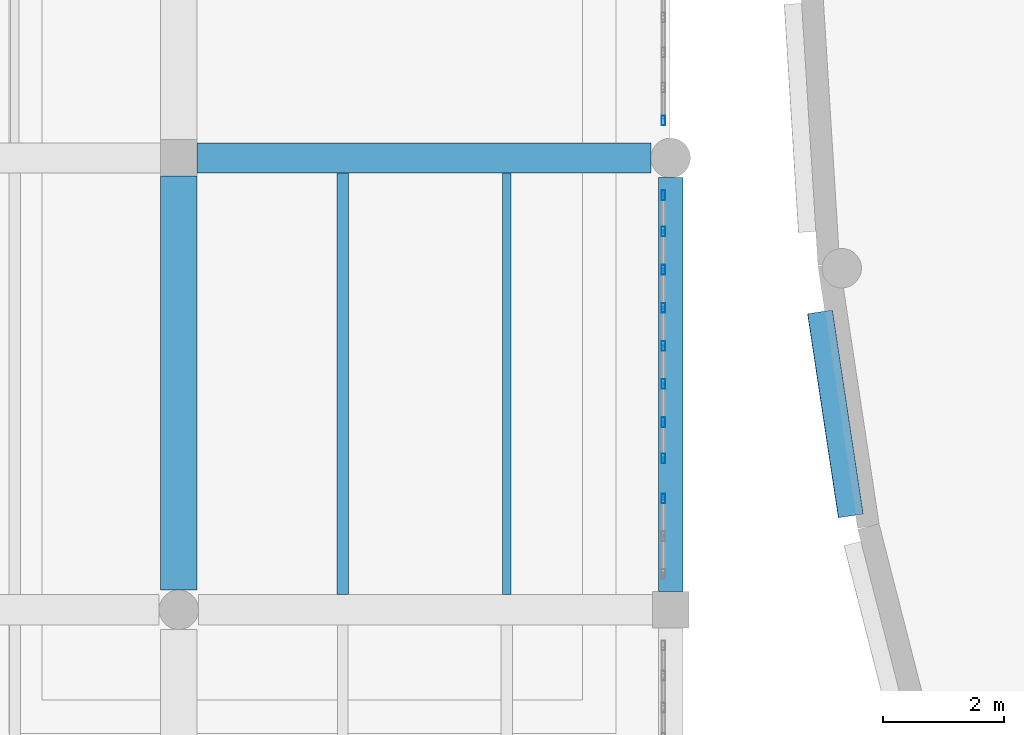
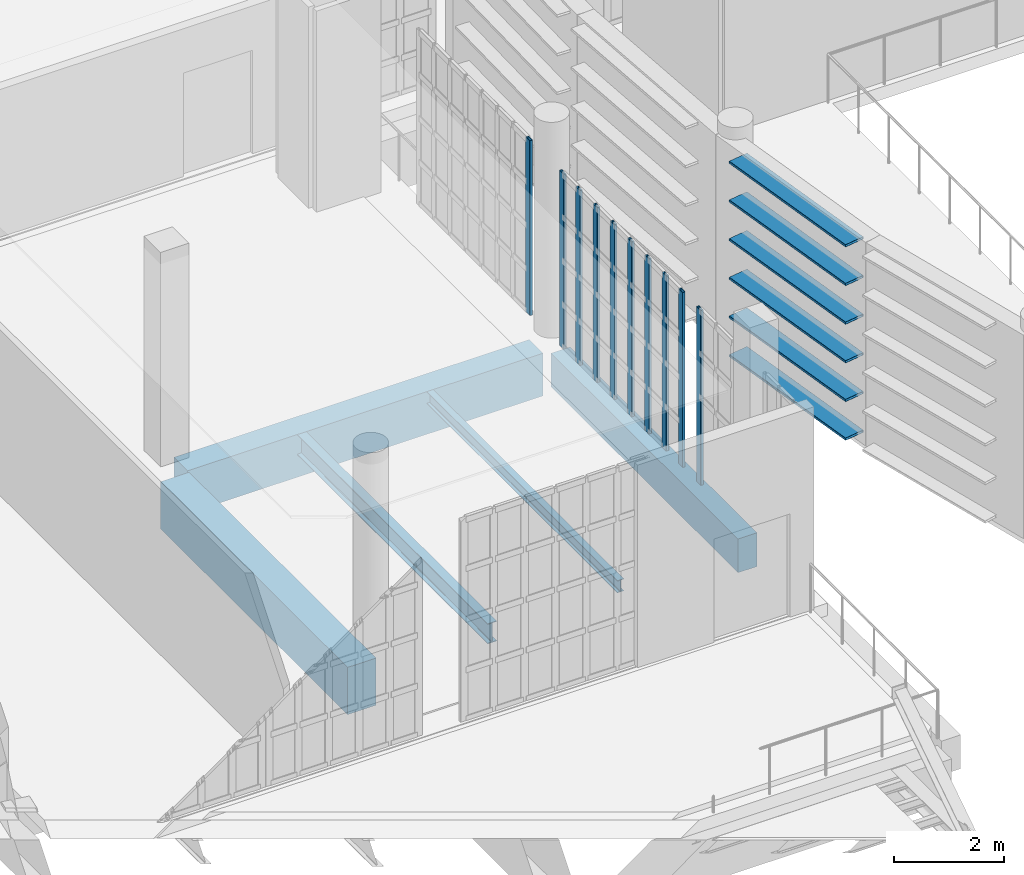
# One storey, part 25 of 104: 16 members, 5 beams, 3 elements without a shape of their own.
"""IFC4 building model written with IfcOpenShell, lengths in metres."""

import ifcopenshell
import ifcopenshell.guid

model = None  # the IFC model being written
_history = None  # IfcOwnerHistory: only IFC2X3 demands one
_inside = {}  # id of a spatial element -> (the spatial element, [elements in it])
_under = {}  # id of a project, library or spatial element -> (it, [spatial elements below it])
_declared = {}  # id of a project -> (the project, [libraries it declares])
_typed = {}  # id of a type object -> (the type object, [elements of that type])
_made_of = {}  # id of a material, layer set ... -> (it, [elements and type objects made of it])


def new_model(schema):
    """Start an empty IFC model of exactly this schema.

    Asked for "IFC4X3", IfcOpenShell would pick the latest addendum, in which some entities
    have other attributes; the version numbers below select the first issue.
    IFC2X3 requires an IfcOwnerHistory on every rooted entity: one is made here for all.
    """
    global model, _history
    if schema == "IFC4X3":
        model = ifcopenshell.file(schema_version=(4, 3, 0, 0))
    else:
        model = ifcopenshell.file(schema=schema)
    _inside.clear()
    _under.clear()
    _declared.clear()
    _typed.clear()
    _made_of.clear()
    _history = None
    if model.schema == "IFC2X3":
        org = make("IfcOrganization", Name="unknown")
        user = make(
            "IfcPersonAndOrganization",
            ThePerson=make("IfcPerson", FamilyName="unknown"),
            TheOrganization=org,
        )
        app = make(
            "IfcApplication",
            ApplicationDeveloper=org,
            Version="unknown",
            ApplicationFullName="unknown",
            ApplicationIdentifier="unknown",
        )
        _history = make(
            "IfcOwnerHistory",
            OwningUser=user,
            OwningApplication=app,
            ChangeAction="ADDED",
            CreationDate=0,
        )
    return model


def make(cls, **values):
    """One entity of the class cls with the attributes given. An attribute that is None is left unset."""
    return model.create_entity(
        cls, **{name: value for name, value in values.items() if value is not None}
    )


def rooted(cls, **values):
    """An entity with a GlobalId (a new one), such as an element, a storey or a relation."""
    return make(cls, GlobalId=ifcopenshell.guid.new(), OwnerHistory=_history, **values)


def si_unit(unit_type, name, prefix=None):
    """IfcSIUnit, for example si_unit("LENGTHUNIT", "METRE", prefix="MILLI")."""
    return make("IfcSIUnit", UnitType=unit_type, Prefix=prefix, Name=name)


def assignment(units):
    """IfcUnitAssignment: the units of a project."""
    return None if units is None else make("IfcUnitAssignment", Units=units)


def point(xyz):
    """IfcCartesianPoint."""
    return None if xyz is None else make("IfcCartesianPoint", Coordinates=xyz)


def direction(xyz):
    """IfcDirection."""
    return None if xyz is None else make("IfcDirection", DirectionRatios=xyz)


def frame(location, z_axis=None, x_axis=None):
    """IfcAxis2Placement3D, a coordinate frame: its origin and axes. An axis left out is left unset."""
    return make(
        "IfcAxis2Placement3D",
        Location=point(location),
        Axis=direction(z_axis),
        RefDirection=direction(x_axis),
    )


def frame_2d(location, x_axis=None):
    """IfcAxis2Placement2D, a coordinate frame in the plane: its origin and x axis."""
    return make(
        "IfcAxis2Placement2D", Location=point(location), RefDirection=direction(x_axis)
    )


def origin():
    """The frame at (0, 0, 0) with its axes left unset."""
    return frame((0.0, 0.0, 0.0))


def origin_2d():
    """The frame at (0, 0) in the plane with its x axis left unset."""
    return frame_2d((0.0, 0.0))


def place(relative_to, where):
    """IfcLocalPlacement: puts the frame where relative to a parent placement (None: the world)."""
    return make(
        "IfcLocalPlacement", PlacementRelTo=relative_to, RelativePlacement=where
    )


def context(
    kind, dimensions, precision=None, world=None, true_north=None, identifier=None
):
    """IfcGeometricRepresentationContext, for example the 3D "Model" context."""
    return make(
        "IfcGeometricRepresentationContext",
        ContextIdentifier=identifier,
        ContextType=kind,
        CoordinateSpaceDimension=dimensions,
        Precision=precision,
        WorldCoordinateSystem=world,
        TrueNorth=true_north,
    )


def subcontext(parent, identifier, kind, view, scale=None):
    """IfcGeometricRepresentationSubContext, for example "Body" below "Model"."""
    return make(
        "IfcGeometricRepresentationSubContext",
        ContextIdentifier=identifier,
        ContextType=kind,
        ParentContext=parent,
        TargetScale=scale,
        TargetView=view,
    )


def project(units=None, contexts=None):
    """IfcProject with its units and contexts."""
    return rooted(
        "IfcProject",
        Name="project",
        RepresentationContexts=contexts,
        UnitsInContext=assignment(units),
    )


def spatial(cls, under=None, at=None, **own):
    """A site, building, storey or space (cls), placed at a placement, below another one or the project."""
    s = rooted(cls, ObjectPlacement=at, **own)
    if under is not None:
        _under.setdefault(under.id(), (under, []))[1].append(s)
    return s


def profile(cls, at=None, kind="AREA", **sizes):
    """A parametric profile (cls). Its sizes go by their IFC names, for example OverallWidth=200.0."""
    return make(cls, ProfileType=kind, Position=at, **sizes)


def rectangle(**sizes):
    """IfcRectangleProfileDef."""
    return profile("IfcRectangleProfileDef", **sizes)


def hollow_rectangle(**sizes):
    """IfcRectangleHollowProfileDef."""
    return profile("IfcRectangleHollowProfileDef", **sizes)


def i_section(**sizes):
    """IfcIShapeProfileDef."""
    return profile("IfcIShapeProfileDef", **sizes)


def extrude(swept, where, along, depth):
    """IfcExtrudedAreaSolid: the profile swept, set in the frame where, extruded along a direction by depth."""
    return make(
        "IfcExtrudedAreaSolid",
        SweptArea=swept,
        Position=where,
        ExtrudedDirection=direction(along),
        Depth=depth,
    )


def shape(context_of_items, identifier, shape_type, items):
    """IfcShapeRepresentation: the items that make up one representation, for example the "Body"."""
    return make(
        "IfcShapeRepresentation",
        ContextOfItems=context_of_items,
        RepresentationIdentifier=identifier,
        RepresentationType=shape_type,
        Items=items,
    )


def material(Name=None, Category=None):
    """IfcMaterial."""
    return make("IfcMaterial", Name=Name, Category=Category)


def material_profile(
    of_material, cross_section, Name=None, Category=None, Priority=None
):
    """IfcMaterialProfile: a cross section and its material."""
    return make(
        "IfcMaterialProfile",
        Name=Name,
        Material=of_material,
        Profile=cross_section,
        Priority=Priority,
        Category=Category,
    )


def profile_set(profiles, Name=None, composite=None):
    """IfcMaterialProfileSet."""
    return make(
        "IfcMaterialProfileSet",
        Name=Name,
        MaterialProfiles=profiles,
        CompositeProfile=composite,
    )


def made_of(thing, what):
    """Note that an element or type object is made of a material, layer set ...; save() writes the relation."""
    if what is not None:
        _made_of.setdefault(what.id(), (what, []))[1].append(thing)
    return thing


def type_object(cls, material=None, **own):
    """A type object (cls), such as IfcWallType, which elements share."""
    return made_of(rooted(cls, **own), material)


def element(
    cls,
    number,
    at=None,
    inside=None,
    cuts=None,
    type_object=None,
    material=None,
    context=None,
    identifier="Body",
    shape_type=None,
    held_by="IfcProductDefinitionShape",
    body=None,
    shapes=None,
    **own,
):
    """One element of the class cls, such as IfcWall. Its Tag is "e" and its number.

    at: its placement. inside: the storey or other place that contains it. cuts: it is an
    opening in that element (IfcRelVoidsElement). A single representation is given by context,
    identifier, shape_type and body (its items); several are given by shapes. held_by: the class
    of the entity that holds the representations. save() writes the other relations.
    """
    e = rooted(cls, Tag="e%d" % number, ObjectPlacement=at, **own)
    if body is not None:
        shapes = [shape(context, identifier, shape_type, body)]
    if shapes is not None:
        e.Representation = make(held_by, Representations=shapes)
    if inside is not None:
        _inside.setdefault(inside.id(), (inside, []))[1].append(e)
    if cuts is not None:
        rooted(
            "IfcRelVoidsElement", RelatingBuildingElement=cuts, RelatedOpeningElement=e
        )
    if type_object is not None:
        _typed.setdefault(type_object.id(), (type_object, []))[1].append(e)
    return made_of(e, material)


def aggregate(whole, parts):
    """IfcRelAggregates: a whole, such as a stair, and the parts it consists of."""
    return rooted("IfcRelAggregates", RelatingObject=whole, RelatedObjects=parts)


def save(model, path):
    """Write the relations noted so far, then the file.

    IfcRelAggregates (storeys below a building ...), IfcRelContainedInSpatialStructure (elements
    in a storey), IfcRelDefinesByType, IfcRelAssociatesMaterial and IfcRelDeclares: one each for
    every whole, place, type object, material and project.
    """
    for whole, parts in _under.values():
        aggregate(whole, parts)
    for where, things in _inside.values():
        rooted(
            "IfcRelContainedInSpatialStructure",
            RelatedElements=things,
            RelatingStructure=where,
        )
    for kind, things in _typed.values():
        rooted("IfcRelDefinesByType", RelatedObjects=things, RelatingType=kind)
    for what, things in _made_of.values():
        rooted("IfcRelAssociatesMaterial", RelatedObjects=things, RelatingMaterial=what)
    for by, libraries in _declared.values():
        rooted("IfcRelDeclares", RelatingContext=by, RelatedDefinitions=libraries)
    model.write(path)


model = new_model("IFC4")

# Units and contexts
model_context = context("Model", 3, precision=1e-05, world=origin(), true_north=direction((0.0, 1.0)))
body_context = subcontext(model_context, "Body", "Model", "MODEL_VIEW")
ifc_project = project(units=[si_unit("LENGTHUNIT", "METRE"), si_unit("AREAUNIT", "SQUARE_METRE"), si_unit("VOLUMEUNIT", "CUBIC_METRE"), si_unit("PLANEANGLEUNIT", "RADIAN"), si_unit("MASSUNIT", "GRAM", prefix="KILO")], contexts=[model_context])

# Site, building, storey
site_placement = place(None, origin())
site = spatial("IfcSite", under=ifc_project, at=site_placement, CompositionType="ELEMENT")
building_placement = place(site_placement, origin())
building = spatial("IfcBuilding", under=site, at=building_placement, Name="Kaelora Sail Theatre", CompositionType="ELEMENT")
storey_placement = place(building_placement, frame((0.0, 0.0, 5.39990234375)))
storey = spatial("IfcBuildingStorey", under=building, at=storey_placement, Name="L01", CompositionType="ELEMENT", Elevation=5.39990234375)

# Members
ifc_material_1 = material(Name="Anodised aluminium 6063-T6", Category="aluminium")
ifc_material_profile_1 = material_profile(ifc_material_1, hollow_rectangle(XDim=0.419921875, YDim=0.054931640625, WallThickness=0.00390625, InnerFilletRadius=0.00390625, OuterFilletRadius=0.008056640625, at=origin_2d()), Name="LOUVRE 420x55x4")
ifc_profile_set_1 = profile_set([ifc_material_profile_1], Name="Anodised aluminium 6063-T6")
member_type_1 = type_object("IfcMemberType", Name="ARC-MEM-LVR-420", PredefinedType="USERDEFINED", material=ifc_profile_set_1)
for number, where, z_axis, x_axis, name in (
    (1, (77.3671875, 47.68603515625, 0.150146484375), (-0.149296451162, 0.98879248059, 0.0), (-0.98879248059, -0.149296451162, 0.0), "Studio Theatre Sail Drum horizontal solar louvre C18-06"),
    (2, (77.3671875, 47.68603515625, 1.010009765625), (-0.149296451162, 0.98879248059, 0.0), (-0.98879248059, -0.149296451162, 0.0), "Studio Theatre Sail Drum horizontal solar louvre C18-07"),
    (3, (77.3671875, 47.68603515625, 1.8701171875), (-0.149296451162, 0.98879248059, 0.0), (-0.98879248059, -0.149296451162, 0.0), "Studio Theatre Sail Drum horizontal solar louvre C18-08"),
    (4, (77.3671875, 47.68603515625, 2.72998046875), (-0.149296451162, 0.98879248059, 0.0), (-0.98879248059, -0.149296451162, 0.0), "Studio Theatre Sail Drum horizontal solar louvre C18-09"),
    (5, (77.3671875, 47.68603515625, 3.590087890625), (-0.149296451162, 0.98879248059, 0.0), (-0.98879248059, -0.149296451162, 0.0), "Studio Theatre Sail Drum horizontal solar louvre C18-10"),
    (6, (77.3671875, 47.68603515625, 4.4501953125), (-0.149296451162, 0.98879248059, 0.0), (-0.98879248059, -0.149296451162, 0.0), "Studio Theatre Sail Drum horizontal solar louvre C18-11"),
):
    element("IfcMember", number, at=place(storey_placement, frame(where, z_axis=z_axis, x_axis=x_axis)), inside=storey, type_object=member_type_1, Name=name, ObjectType="LOUVRE", PredefinedType="USERDEFINED", context=body_context, shape_type="SweptSolid", body=[
        extrude(hollow_rectangle(XDim=0.419921875, YDim=0.054931640625, WallThickness=0.00390625, InnerFilletRadius=0.00390625, OuterFilletRadius=0.008056640625, at=origin_2d()), origin(), (0.0, 0.0, 1.0), 3.396484375),
    ])

# Curtain wall, member
ifc_material_2 = material(Name="Anodised aluminium and solar-control low-E IGU", Category="aluminium")
curtain_wall_type = type_object("IfcCurtainWallType", Name="ARC-CW-CW-FOY2", PredefinedType="NOTDEFINED", material=ifc_material_2)
curtain_wall_1_placement = place(storey_placement, origin())
curtain_wall_1 = element("IfcCurtainWall", 7, at=curtain_wall_1_placement, inside=storey, type_object=curtain_wall_type, Name="West Interstitial Foyer East Glazed Return L01-01", PredefinedType="NOTDEFINED")
ifc_material_3 = material(Name="Anodised aluminium 6063-T6", Category="aluminium")
ifc_material_profile_2 = material_profile(ifc_material_3, hollow_rectangle(XDim=0.06005859375, YDim=0.159912109375, WallThickness=0.00390625, InnerFilletRadius=0.00390625, OuterFilletRadius=0.008056640625, at=origin_2d()), Name="ALU-MULL 60x160x4")
ifc_profile_set_2 = profile_set([ifc_material_profile_2], Name="Anodised aluminium 6063-T6")
member_type_2 = type_object("IfcMemberType", Name="ARC-MEM-ML-160", PredefinedType="MULLION", material=ifc_profile_set_2)
member_1_placement = place(storey_placement, frame((74.280029296875, 47.969970703125, 0.0), z_axis=(0.0, 0.0, 1.0), x_axis=(-1.0, 0.0, 0.0)))
member_1 = element("IfcMember", 8, at=member_1_placement, type_object=member_type_2, Name="CW-FOY2 mullion 3", PredefinedType="MULLION", context=body_context, shape_type="SweptSolid", body=[
    extrude(hollow_rectangle(XDim=0.06005859375, YDim=0.159912109375, WallThickness=0.00390625, InnerFilletRadius=0.00390625, OuterFilletRadius=0.008056640625, at=origin_2d()), origin(), (0.0, 0.0, 1.0), 3.88720703125),
])
aggregate(curtain_wall_1, [member_1])

# Curtain wall, members
curtain_wall_2_placement = place(storey_placement, origin())
curtain_wall_2 = element("IfcCurtainWall", 9, at=curtain_wall_2_placement, inside=storey, type_object=curtain_wall_type, Name="West Interstitial Foyer East Glazed Return L01-02", PredefinedType="NOTDEFINED")
member_2_placement = place(storey_placement, frame((74.280029296875, 48.6298828125, 0.0), z_axis=(0.0, 0.0, 1.0), x_axis=(-1.0, 0.0, 0.0)))
member_2 = element("IfcMember", 10, at=member_2_placement, type_object=member_type_2, Name="CW-FOY2 mullion 1", PredefinedType="MULLION", context=body_context, shape_type="SweptSolid", body=[
    extrude(hollow_rectangle(XDim=0.06005859375, YDim=0.159912109375, WallThickness=0.00390625, InnerFilletRadius=0.00390625, OuterFilletRadius=0.008056640625, at=origin_2d()), origin(), (0.0, 0.0, 1.0), 3.88720703125),
])
member_3_placement = place(storey_placement, frame((74.280029296875, 49.227783203125, 0.0), z_axis=(0.0, 0.0, 1.0), x_axis=(-1.0, 0.0, 0.0)))
member_3 = element("IfcMember", 11, at=member_3_placement, type_object=member_type_2, Name="CW-FOY2 mullion 2", PredefinedType="MULLION", context=body_context, shape_type="SweptSolid", body=[
    extrude(hollow_rectangle(XDim=0.06005859375, YDim=0.159912109375, WallThickness=0.00390625, InnerFilletRadius=0.00390625, OuterFilletRadius=0.008056640625, at=origin_2d()), origin(), (0.0, 0.0, 1.0), 3.88720703125),
])
member_4_placement = place(storey_placement, frame((74.280029296875, 49.855712890625, 0.0), z_axis=(0.0, 0.0, 1.0), x_axis=(-1.0, 0.0, 0.0)))
member_4 = element("IfcMember", 12, at=member_4_placement, type_object=member_type_2, Name="CW-FOY2 mullion 3", PredefinedType="MULLION", context=body_context, shape_type="SweptSolid", body=[
    extrude(hollow_rectangle(XDim=0.06005859375, YDim=0.159912109375, WallThickness=0.00390625, InnerFilletRadius=0.00390625, OuterFilletRadius=0.008056640625, at=origin_2d()), origin(), (0.0, 0.0, 1.0), 3.88720703125),
])
member_5_placement = place(storey_placement, frame((74.280029296875, 50.483642578125, 0.0), z_axis=(0.0, 0.0, 1.0), x_axis=(-1.0, 0.0, 0.0)))
member_5 = element("IfcMember", 13, at=member_5_placement, type_object=member_type_2, Name="CW-FOY2 mullion 4", PredefinedType="MULLION", context=body_context, shape_type="SweptSolid", body=[
    extrude(hollow_rectangle(XDim=0.06005859375, YDim=0.159912109375, WallThickness=0.00390625, InnerFilletRadius=0.00390625, OuterFilletRadius=0.008056640625, at=origin_2d()), origin(), (0.0, 0.0, 1.0), 3.88720703125),
])
member_6_placement = place(storey_placement, frame((74.280029296875, 51.111328125, 0.0), z_axis=(0.0, 0.0, 1.0), x_axis=(-1.0, 0.0, 0.0)))
member_6 = element("IfcMember", 14, at=member_6_placement, type_object=member_type_2, Name="CW-FOY2 mullion 5", PredefinedType="MULLION", context=body_context, shape_type="SweptSolid", body=[
    extrude(hollow_rectangle(XDim=0.06005859375, YDim=0.159912109375, WallThickness=0.00390625, InnerFilletRadius=0.00390625, OuterFilletRadius=0.008056640625, at=origin_2d()), origin(), (0.0, 0.0, 1.0), 3.88720703125),
])
member_7_placement = place(storey_placement, frame((74.280029296875, 51.7392578125, 0.0), z_axis=(0.0, 0.0, 1.0), x_axis=(-1.0, 0.0, 0.0)))
member_7 = element("IfcMember", 15, at=member_7_placement, type_object=member_type_2, Name="CW-FOY2 mullion 6", PredefinedType="MULLION", context=body_context, shape_type="SweptSolid", body=[
    extrude(hollow_rectangle(XDim=0.06005859375, YDim=0.159912109375, WallThickness=0.00390625, InnerFilletRadius=0.00390625, OuterFilletRadius=0.008056640625, at=origin_2d()), origin(), (0.0, 0.0, 1.0), 3.88720703125),
])
member_8_placement = place(storey_placement, frame((74.280029296875, 52.3671875, 0.0), z_axis=(0.0, 0.0, 1.0), x_axis=(-1.0, 0.0, 0.0)))
member_8 = element("IfcMember", 16, at=member_8_placement, type_object=member_type_2, Name="CW-FOY2 mullion 7", PredefinedType="MULLION", context=body_context, shape_type="SweptSolid", body=[
    extrude(hollow_rectangle(XDim=0.06005859375, YDim=0.159912109375, WallThickness=0.00390625, InnerFilletRadius=0.00390625, OuterFilletRadius=0.008056640625, at=origin_2d()), origin(), (0.0, 0.0, 1.0), 3.88720703125),
])
member_9_placement = place(storey_placement, frame((74.280029296875, 52.965087890625, 0.0), z_axis=(0.0, 0.0, 1.0), x_axis=(-1.0, 0.0, 0.0)))
member_9 = element("IfcMember", 17, at=member_9_placement, type_object=member_type_2, Name="CW-FOY2 mullion 8", PredefinedType="MULLION", context=body_context, shape_type="SweptSolid", body=[
    extrude(hollow_rectangle(XDim=0.06005859375, YDim=0.159912109375, WallThickness=0.00390625, InnerFilletRadius=0.00390625, OuterFilletRadius=0.008056640625, at=origin_2d()), origin(), (0.0, 0.0, 1.0), 3.88720703125),
])
aggregate(curtain_wall_2, [member_2, member_3, member_4, member_5, member_6, member_7, member_8, member_9])

# Curtain wall, member
curtain_wall_3_placement = place(storey_placement, origin())
curtain_wall_3 = element("IfcCurtainWall", 18, at=curtain_wall_3_placement, inside=storey, type_object=curtain_wall_type, Name="West Interstitial Foyer East Glazed Return L01-03", PredefinedType="NOTDEFINED")
member_10_placement = place(storey_placement, frame((74.280029296875, 54.195068359375, 0.0), z_axis=(0.0, 0.0, 1.0), x_axis=(-1.0, 0.0, 0.0)))
member_10 = element("IfcMember", 19, at=member_10_placement, type_object=member_type_2, Name="CW-FOY2 mullion 1", PredefinedType="MULLION", context=body_context, shape_type="SweptSolid", body=[
    extrude(hollow_rectangle(XDim=0.06005859375, YDim=0.159912109375, WallThickness=0.00390625, InnerFilletRadius=0.00390625, OuterFilletRadius=0.008056640625, at=origin_2d()), origin(), (0.0, 0.0, 1.0), 3.88720703125),
])
aggregate(curtain_wall_3, [member_10])

# Beams
ifc_material_4 = material(Name="Steel S355", Category="steel")
ifc_material_profile_3 = material_profile(ifc_material_4, i_section(OverallWidth=0.18994140625, OverallDepth=0.449951171875, WebThickness=0.009521484375, FlangeThickness=0.0146484375, FilletRadius=0.02099609375, at=origin_2d()), Name="IPE 450")
ifc_profile_set_3 = profile_set([ifc_material_profile_3], Name="Steel S355")
beam_type_1 = type_object("IfcBeamType", Name="STR-BM-BM-IPE450", PredefinedType="BEAM", material=ifc_profile_set_3)
beam_1_placement = place(storey_placement, frame((69.0, 46.389892578125, -0.52001953125), z_axis=(0.0, 1.0, 0.0), x_axis=(-1.0, 0.0, 0.0)))
element("IfcBeam", 20, at=beam_1_placement, inside=storey, type_object=beam_type_1, Name="Secondary floor joist 9/G-1 (L01)", PredefinedType="BEAM", context=body_context, shape_type="SweptSolid", body=[
    extrude(i_section(OverallWidth=0.18994140625, OverallDepth=0.449951171875, WebThickness=0.009521484375, FlangeThickness=0.0146484375, FilletRadius=0.02099609375, at=origin_2d()), origin(), (0.0, 0.0, 1.0), 6.940185546875),
])
ifc_material_5 = material(Name="Concrete C40/50", Category="concrete")
ifc_material_profile_4 = material_profile(ifc_material_5, rectangle(XDim=0.39990234375, YDim=0.75, at=origin_2d()), Name="RC-BM 400x750")
ifc_profile_set_4 = profile_set([ifc_material_profile_4], Name="Concrete C40/50")
beam_type_2 = type_object("IfcBeamType", Name="STR-BM-BM-RC4075", PredefinedType="BEAM", material=ifc_profile_set_4)
beam_2_placement = place(storey_placement, frame((74.39990234375, 46.43994140625, -0.669921875), z_axis=(0.0, 1.0, 0.0), x_axis=(-1.0, 0.0, 0.0)))
element("IfcBeam", 21, at=beam_2_placement, inside=storey, type_object=beam_type_2, Name="Primary beam 10 G-H (L01)", PredefinedType="BEAM", context=body_context, shape_type="SweptSolid", body=[
    extrude(rectangle(XDim=0.39990234375, YDim=0.75, at=origin_2d()), origin(), (0.0, 0.0, 1.0), 6.81494140625),
])
ifc_material_6 = material(Name="Concrete C45/55", Category="concrete")
ifc_material_profile_5 = material_profile(ifc_material_6, rectangle(XDim=0.5, YDim=0.949951171875, at=origin_2d()), Name="RC-GRD 500x950")
ifc_profile_set_5 = profile_set([ifc_material_profile_5], Name="Concrete C45/55")
beam_type_3 = type_object("IfcBeamType", Name="STR-BM-GR-RC5095", PredefinedType="T_BEAM", material=ifc_profile_set_5)
beam_3_placement = place(storey_placement, frame((66.60009765625, 53.580078125, -0.77001953125), z_axis=(1.0, 0.0, 0.0), x_axis=(0.0, 1.0, 0.0)))
element("IfcBeam", 22, at=beam_3_placement, inside=storey, type_object=beam_type_3, Name="Primary beam H 9-10 (L01)", PredefinedType="T_BEAM", context=body_context, shape_type="SweptSolid", body=[
    extrude(rectangle(XDim=0.5, YDim=0.949951171875, at=origin_2d()), origin(), (0.0, 0.0, 1.0), 7.474853515625),
])
ifc_material_7 = material(Name="Concrete C50/60", Category="concrete")
ifc_material_profile_6 = material_profile(ifc_material_7, rectangle(XDim=0.60009765625, YDim=1.050048828125, at=origin_2d()), Name="RC-GRD 600x1050")
ifc_profile_set_6 = profile_set([ifc_material_profile_6], Name="Concrete C50/60")
beam_type_4 = type_object("IfcBeamType", Name="STR-BM-GR-RC6105", PredefinedType="T_BEAM", material=ifc_profile_set_6)
beam_4_placement = place(storey_placement, frame((66.300048828125, 46.465087890625, -0.81982421875), z_axis=(0.0, 1.0, 0.0), x_axis=(-1.0, 0.0, 0.0)))
element("IfcBeam", 23, at=beam_4_placement, inside=storey, type_object=beam_type_4, Name="Primary beam 9 G-H (L01)", PredefinedType="T_BEAM", context=body_context, shape_type="SweptSolid", body=[
    extrude(rectangle(XDim=0.60009765625, YDim=1.050048828125, at=origin_2d()), origin(), (0.0, 0.0, 1.0), 6.81494140625),
])
ifc_material_8 = material(Name="Steel S355", Category="steel")
ifc_material_profile_7 = material_profile(ifc_material_8, i_section(OverallWidth=0.135009765625, OverallDepth=0.27001953125, WebThickness=0.006591796875, FlangeThickness=0.01025390625, FilletRadius=0.014892578125, at=origin_2d()), Name="IPE 270")
ifc_profile_set_7 = profile_set([ifc_material_profile_7], Name="Steel S355")
beam_type_5 = type_object("IfcBeamType", Name="STR-BM-JS-IPE270", PredefinedType="JOIST", material=ifc_profile_set_7)
beam_5_placement = place(storey_placement, frame((71.699951171875, 46.389892578125, -0.429931640625), z_axis=(0.0, 1.0, 0.0), x_axis=(-1.0, 0.0, 0.0)))
element("IfcBeam", 24, at=beam_5_placement, inside=storey, type_object=beam_type_5, Name="Secondary floor joist 9/G-2 (L01)", PredefinedType="JOIST", context=body_context, shape_type="SweptSolid", body=[
    extrude(i_section(OverallWidth=0.135009765625, OverallDepth=0.27001953125, WebThickness=0.006591796875, FlangeThickness=0.01025390625, FilletRadius=0.014892578125, at=origin_2d()), origin(), (0.0, 0.0, 1.0), 6.940185546875),
])

save(model, "model.ifc")
